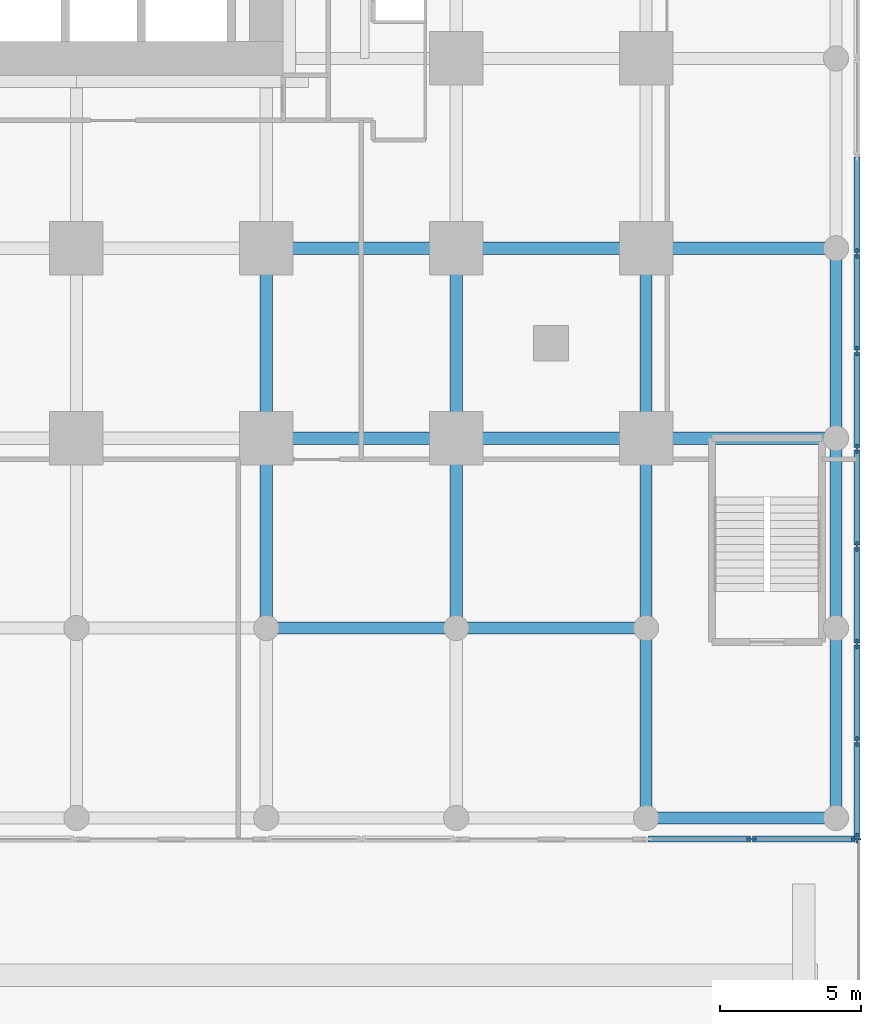
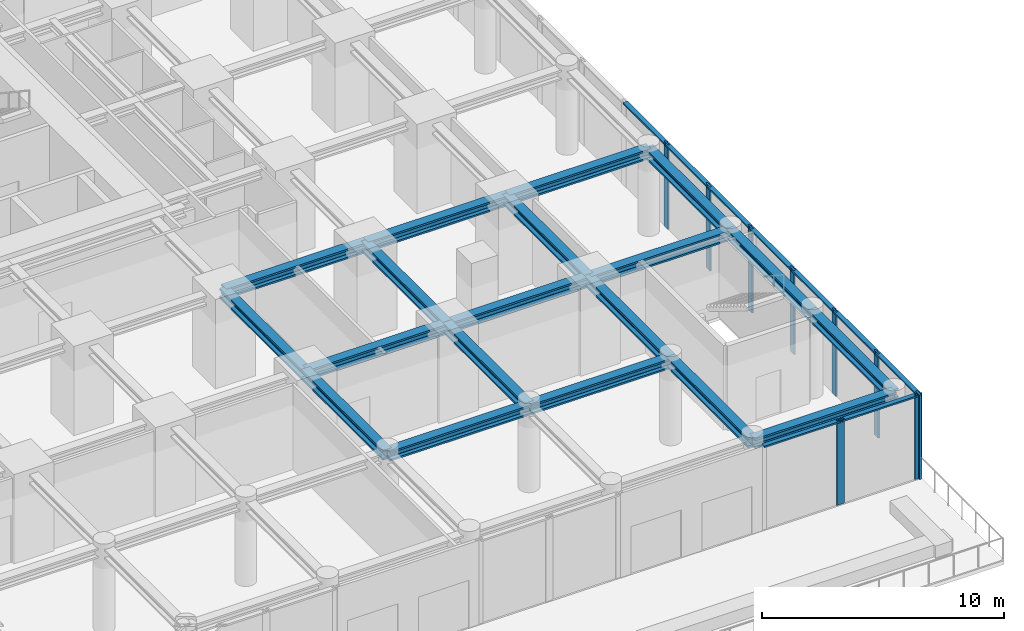
# One storey, part 3 of 11: 19 beams, 18 members, 2 elements without a shape of their own.
"""IFC4 building model written with IfcOpenShell, lengths in metres."""

from ifc_helpers import new_model, si_unit, direction, frame, origin, origin_2d, place, context, subcontext, project, spatial, rectangle, i_section, extrude, material, material_profile, profile_set, type_object, element, aggregate, save


model = new_model("IFC4")

# Units and contexts
model_context = context("Model", 3, precision=1e-05, world=origin(), true_north=direction((0.0, 1.0)))
body_context = subcontext(model_context, "Body", "Model", "MODEL_VIEW")
ifc_project = project(units=[si_unit("LENGTHUNIT", "METRE"), si_unit("AREAUNIT", "SQUARE_METRE"), si_unit("VOLUMEUNIT", "CUBIC_METRE"), si_unit("PLANEANGLEUNIT", "RADIAN"), si_unit("MASSUNIT", "GRAM", prefix="KILO")], contexts=[model_context])

# Site, building, storey
site_placement = place(None, origin())
site = spatial("IfcSite", under=ifc_project, at=site_placement, CompositionType="ELEMENT")
building_placement = place(site_placement, origin())
building = spatial("IfcBuilding", under=site, at=building_placement, Name="Nyansa Garden Tower", CompositionType="ELEMENT")
storey_placement = place(building_placement, frame((0.0, 0.0, 4.5)))
storey = spatial("IfcBuildingStorey", under=building, at=storey_placement, Name="L01", CompositionType="ELEMENT", Elevation=4.5)

# Curtain wall, members
ifc_material_1 = material(Name="Black anodised aluminium, clear double glazing", Category="aluminium")
curtain_wall_type = type_object("IfcCurtainWallType", Name="Podium curtain wall PCW", PredefinedType="USERDEFINED", material=ifc_material_1)
curtain_wall_1_placement = place(storey_placement, origin())
curtain_wall_1 = element("IfcCurtainWall", 1, at=curtain_wall_1_placement, inside=storey, type_object=curtain_wall_type, Name="Podium curtain wall L01 E", ObjectType="STICK CURTAIN WALL", PredefinedType="USERDEFINED")
ifc_material_2 = material(Name="Black anodised aluminium", Category="aluminium")
ifc_material_profile_1 = material_profile(ifc_material_2, rectangle(XDim=0.080078125, YDim=0.35009765625, at=origin_2d()), Name="Mullion 350x80")
ifc_profile_set_1 = profile_set([ifc_material_profile_1], Name="Black anodised aluminium")
member_type_1 = type_object("IfcMemberType", Name="Mullion PCW 350x80", PredefinedType="MULLION", material=ifc_profile_set_1)
member_1_placement = place(storey_placement, frame((48.0, -14.2099609375, 0.0), z_axis=(0.0, 0.0, 1.0), x_axis=(-1.0, 0.0, 0.0)))
member_1 = element("IfcMember", 2, at=member_1_placement, type_object=member_type_1, Name="PCW mullion 1", PredefinedType="MULLION", context=body_context, shape_type="SweptSolid", body=[
    extrude(rectangle(XDim=0.080078125, YDim=0.35009765625, at=origin_2d()), origin(), (0.0, 0.0, 1.0), 4.25),
])
member_2_placement = place(storey_placement, frame((48.0, -10.78125, 0.0), z_axis=(0.0, 0.0, 1.0), x_axis=(-1.0, 0.0, 0.0)))
member_2 = element("IfcMember", 3, at=member_2_placement, type_object=member_type_1, Name="PCW mullion 2", PredefinedType="MULLION", context=body_context, shape_type="SweptSolid", body=[
    extrude(rectangle(XDim=0.080078125, YDim=0.35009765625, at=origin_2d()), origin(), (0.0, 0.0, 1.0), 4.25),
])
member_3_placement = place(storey_placement, frame((48.0, -7.3125, 0.0), z_axis=(0.0, 0.0, 1.0), x_axis=(-1.0, 0.0, 0.0)))
member_3 = element("IfcMember", 4, at=member_3_placement, type_object=member_type_1, Name="PCW mullion 3", PredefinedType="MULLION", context=body_context, shape_type="SweptSolid", body=[
    extrude(rectangle(XDim=0.080078125, YDim=0.35009765625, at=origin_2d()), origin(), (0.0, 0.0, 1.0), 4.25),
])
member_4_placement = place(storey_placement, frame((48.0, -3.84375, 0.0), z_axis=(0.0, 0.0, 1.0), x_axis=(-1.0, 0.0, 0.0)))
member_4 = element("IfcMember", 5, at=member_4_placement, type_object=member_type_1, Name="PCW mullion 4", PredefinedType="MULLION", context=body_context, shape_type="SweptSolid", body=[
    extrude(rectangle(XDim=0.080078125, YDim=0.35009765625, at=origin_2d()), origin(), (0.0, 0.0, 1.0), 4.25),
])
member_5_placement = place(storey_placement, frame((48.0, -0.375, 0.0), z_axis=(0.0, 0.0, 1.0), x_axis=(-1.0, 0.0, 0.0)))
member_5 = element("IfcMember", 6, at=member_5_placement, type_object=member_type_1, Name="PCW mullion 5", PredefinedType="MULLION", context=body_context, shape_type="SweptSolid", body=[
    extrude(rectangle(XDim=0.080078125, YDim=0.35009765625, at=origin_2d()), origin(), (0.0, 0.0, 1.0), 4.25),
])
member_6_placement = place(storey_placement, frame((48.0, 3.09375, 0.0), z_axis=(0.0, 0.0, 1.0), x_axis=(-1.0, 0.0, 0.0)))
member_6 = element("IfcMember", 7, at=member_6_placement, type_object=member_type_1, Name="PCW mullion 6", PredefinedType="MULLION", context=body_context, shape_type="SweptSolid", body=[
    extrude(rectangle(XDim=0.080078125, YDim=0.35009765625, at=origin_2d()), origin(), (0.0, 0.0, 1.0), 4.25),
])
member_7_placement = place(storey_placement, frame((48.0, 6.5625, 0.0), z_axis=(0.0, 0.0, 1.0), x_axis=(-1.0, 0.0, 0.0)))
member_7 = element("IfcMember", 8, at=member_7_placement, type_object=member_type_1, Name="PCW mullion 7", PredefinedType="MULLION", context=body_context, shape_type="SweptSolid", body=[
    extrude(rectangle(XDim=0.080078125, YDim=0.35009765625, at=origin_2d()), origin(), (0.0, 0.0, 1.0), 4.25),
])

curtain_wall_2_placement = place(storey_placement, origin())
curtain_wall_2 = element("IfcCurtainWall", 9, at=curtain_wall_2_placement, inside=storey, type_object=curtain_wall_type, Name="Podium curtain wall L01 S", ObjectType="STICK CURTAIN WALL", PredefinedType="USERDEFINED")
member_8_placement = place(storey_placement, frame((44.25, -14.25, 0.0), z_axis=(0.0, 0.0, 1.0), x_axis=(0.0, 1.0, 0.0)))
member_8 = element("IfcMember", 10, at=member_8_placement, type_object=member_type_1, Name="PCW mullion 2", PredefinedType="MULLION", context=body_context, shape_type="SweptSolid", body=[
    extrude(rectangle(XDim=0.080078125, YDim=0.35009765625, at=origin_2d()), origin(), (0.0, 0.0, 1.0), 4.25),
])
member_9_placement = place(storey_placement, frame((47.9599609375, -14.25, 0.0), z_axis=(0.0, 0.0, 1.0), x_axis=(0.0, 1.0, 0.0)))
member_9 = element("IfcMember", 11, at=member_9_placement, type_object=member_type_1, Name="PCW mullion 3", PredefinedType="MULLION", context=body_context, shape_type="SweptSolid", body=[
    extrude(rectangle(XDim=0.080078125, YDim=0.35009765625, at=origin_2d()), origin(), (0.0, 0.0, 1.0), 4.25),
])

# Beams
ifc_material_3 = material(Name="Steel S355", Category="steel")
ifc_material_profile_2 = material_profile(ifc_material_3, i_section(OverallWidth=0.431884765625, OverallDepth=0.498046875, WebThickness=0.0556640625, FlangeThickness=0.0888671875, FilletRadius=0.014892578125, at=origin_2d()), Name="HD 400x744")
ifc_profile_set_2 = profile_set([ifc_material_profile_2], Name="Steel S355")
beam_type_1 = type_object("IfcBeamType", Name="Steel beam SBP1-744 HD 400x744", PredefinedType="BEAM", material=ifc_profile_set_2)
for number, where, z_axis, x_axis, name in (
    (12, (27.0, -6.75, 4.0009765625), (0.0, 1.0, 0.0), (-1.0, 0.0, 0.0), "Steel beam 6/C-6/D L02"),
    (13, (27.0, -6.75, 4.0009765625), (1.0, 0.0, 0.0), (0.0, 1.0, 0.0), "Steel beam 6/C-7/C L02"),
    (14, (27.0, 0.0, 4.0009765625), (0.0, 1.0, 0.0), (-1.0, 0.0, 0.0), "Steel beam 6/D-6/E L02"),
    (15, (27.0, 0.0, 4.0009765625), (1.0, 0.0, 0.0), (0.0, 1.0, 0.0), "Steel beam 6/D-7/D L02"),
    (16, (27.0, 6.75, 4.0009765625), (1.0, 0.0, 0.0), (0.0, 1.0, 0.0), "Steel beam 6/E-7/E L02"),
    (17, (33.75, -6.75, 4.0009765625), (0.0, 1.0, 0.0), (-1.0, 0.0, 0.0), "Steel beam 7/C-7/D L02"),
    (18, (33.75, -6.75, 4.0009765625), (1.0, 0.0, 0.0), (0.0, 1.0, 0.0), "Steel beam 7/C-8/C L02"),
    (19, (33.75, 0.0, 4.0009765625), (0.0, 1.0, 0.0), (-1.0, 0.0, 0.0), "Steel beam 7/D-7/E L02"),
    (20, (33.75, 0.0, 4.0009765625), (1.0, 0.0, 0.0), (0.0, 1.0, 0.0), "Steel beam 7/D-8/D L02"),
    (21, (33.75, 6.75, 4.0009765625), (1.0, 0.0, 0.0), (0.0, 1.0, 0.0), "Steel beam 7/E-8/E L02"),
    (22, (40.5, -13.5, 4.0009765625), (0.0, 1.0, 0.0), (-1.0, 0.0, 0.0), "Steel beam 8/B-8/C L02"),
    (23, (40.5, -6.75, 4.0009765625), (0.0, 1.0, 0.0), (-1.0, 0.0, 0.0), "Steel beam 8/C-8/D L02"),
    (24, (40.5, 0.0, 4.0009765625), (0.0, 1.0, 0.0), (-1.0, 0.0, 0.0), "Steel beam 8/D-8/E L02"),
    (25, (40.5, 0.0, 4.0009765625), (1.0, 0.0, 0.0), (0.0, 1.0, 0.0), "Steel beam 8/D-9/D L02"),
    (26, (40.5, 6.75, 4.0009765625), (1.0, 0.0, 0.0), (0.0, 1.0, 0.0), "Steel beam 8/E-9/E L02"),
):
    element("IfcBeam", number, at=place(storey_placement, frame(where, z_axis=z_axis, x_axis=x_axis)), inside=storey, type_object=beam_type_1, Name=name, PredefinedType="BEAM", context=body_context, shape_type="SweptSolid", body=[
        extrude(i_section(OverallWidth=0.431884765625, OverallDepth=0.498046875, WebThickness=0.0556640625, FlangeThickness=0.0888671875, FilletRadius=0.014892578125, at=origin_2d()), origin(), (0.0, 0.0, 1.0), 6.75),
    ])
ifc_material_4 = material(Name="Steel S355", Category="steel")
ifc_material_profile_3 = material_profile(ifc_material_4, i_section(OverallWidth=0.431884765625, OverallDepth=0.498046875, WebThickness=0.0556640625, FlangeThickness=0.0888671875, FilletRadius=0.014892578125, at=origin_2d()), Name="HD 400x744")
ifc_profile_set_3 = profile_set([ifc_material_profile_3], Name="Steel S355")
beam_type_2 = type_object("IfcBeamType", Name="Steel beam SEBP-744 HD 400x744", PredefinedType="BEAM", material=ifc_profile_set_3)
for number, where, z_axis, x_axis, name in (
    (27, (40.5, -13.5, 4.0009765625), (1.0, 0.0, 0.0), (0.0, 1.0, 0.0), "Steel edge beam 8/B-9/B L02"),
    (28, (47.25, -13.5, 4.0009765625), (0.0, 1.0, 0.0), (-1.0, 0.0, 0.0), "Steel edge beam 9/B-9/C L02"),
    (29, (47.25, -6.75, 4.0009765625), (0.0, 1.0, 0.0), (-1.0, 0.0, 0.0), "Steel edge beam 9/C-9/D L02"),
    (30, (47.25, 0.0, 4.0009765625), (0.0, 1.0, 0.0), (-1.0, 0.0, 0.0), "Steel edge beam 9/D-9/E L02"),
):
    element("IfcBeam", number, at=place(storey_placement, frame(where, z_axis=z_axis, x_axis=x_axis)), inside=storey, type_object=beam_type_2, Name=name, PredefinedType="BEAM", context=body_context, shape_type="SweptSolid", body=[
        extrude(i_section(OverallWidth=0.431884765625, OverallDepth=0.498046875, WebThickness=0.0556640625, FlangeThickness=0.0888671875, FilletRadius=0.014892578125, at=origin_2d()), origin(), (0.0, 0.0, 1.0), 6.75),
    ])

# Member
ifc_material_5 = material(Name="Black anodised aluminium", Category="aluminium")
ifc_material_profile_4 = material_profile(ifc_material_5, rectangle(XDim=0.219970703125, YDim=0.080078125, at=origin_2d()), Name="Transom 220x80")
ifc_profile_set_4 = profile_set([ifc_material_profile_4], Name="Black anodised aluminium")
member_type_2 = type_object("IfcMemberType", Name="Transom PCW 220x80", PredefinedType="USERDEFINED", material=ifc_profile_set_4)
member_10_placement = place(storey_placement, frame((48.0, -14.169921875, 4.2099609375), z_axis=(0.0, 1.0, 0.0), x_axis=(-1.0, 0.0, 0.0)))
member_10 = element("IfcMember", 31, at=member_10_placement, type_object=member_type_2, Name="PCW transom 1", ObjectType="TRANSOM", PredefinedType="USERDEFINED", context=body_context, shape_type="SweptSolid", body=[
    extrude(rectangle(XDim=0.219970703125, YDim=0.080078125, at=origin_2d()), origin(), (0.0, 0.0, 1.0), 3.3486328125),
])

member_11_placement = place(storey_placement, frame((48.0, -10.7412109375, 4.2099609375), z_axis=(0.0, 1.0, 0.0), x_axis=(-1.0, 0.0, 0.0)))
member_11 = element("IfcMember", 32, at=member_11_placement, type_object=member_type_2, Name="PCW transom 2", ObjectType="TRANSOM", PredefinedType="USERDEFINED", context=body_context, shape_type="SweptSolid", body=[
    extrude(rectangle(XDim=0.219970703125, YDim=0.080078125, at=origin_2d()), origin(), (0.0, 0.0, 1.0), 3.388671875),
])

member_12_placement = place(storey_placement, frame((48.0, -7.2724609375, 4.2099609375), z_axis=(0.0, 1.0, 0.0), x_axis=(-1.0, 0.0, 0.0)))
member_12 = element("IfcMember", 33, at=member_12_placement, type_object=member_type_2, Name="PCW transom 3", ObjectType="TRANSOM", PredefinedType="USERDEFINED", context=body_context, shape_type="SweptSolid", body=[
    extrude(rectangle(XDim=0.219970703125, YDim=0.080078125, at=origin_2d()), origin(), (0.0, 0.0, 1.0), 3.388671875),
])

member_13_placement = place(storey_placement, frame((48.0, -3.8037109375, 4.2099609375), z_axis=(0.0, 1.0, 0.0), x_axis=(-1.0, 0.0, 0.0)))
member_13 = element("IfcMember", 34, at=member_13_placement, type_object=member_type_2, Name="PCW transom 4", ObjectType="TRANSOM", PredefinedType="USERDEFINED", context=body_context, shape_type="SweptSolid", body=[
    extrude(rectangle(XDim=0.219970703125, YDim=0.080078125, at=origin_2d()), origin(), (0.0, 0.0, 1.0), 3.388671875),
])

member_14_placement = place(storey_placement, frame((48.0, -0.3349609375, 4.2099609375), z_axis=(0.0, 1.0, 0.0), x_axis=(-1.0, 0.0, 0.0)))
member_14 = element("IfcMember", 35, at=member_14_placement, type_object=member_type_2, Name="PCW transom 5", ObjectType="TRANSOM", PredefinedType="USERDEFINED", context=body_context, shape_type="SweptSolid", body=[
    extrude(rectangle(XDim=0.219970703125, YDim=0.080078125, at=origin_2d()), origin(), (0.0, 0.0, 1.0), 3.388671875),
])

member_15_placement = place(storey_placement, frame((48.0, 3.1337890625, 4.2099609375), z_axis=(0.0, 1.0, 0.0), x_axis=(-1.0, 0.0, 0.0)))
member_15 = element("IfcMember", 36, at=member_15_placement, type_object=member_type_2, Name="PCW transom 6", ObjectType="TRANSOM", PredefinedType="USERDEFINED", context=body_context, shape_type="SweptSolid", body=[
    extrude(rectangle(XDim=0.219970703125, YDim=0.080078125, at=origin_2d()), origin(), (0.0, 0.0, 1.0), 3.388671875),
])

member_16_placement = place(storey_placement, frame((48.0, 6.6025390625, 4.2099609375), z_axis=(0.0, 1.0, 0.0), x_axis=(-1.0, 0.0, 0.0)))
member_16 = element("IfcMember", 37, at=member_16_placement, type_object=member_type_2, Name="PCW transom 7", ObjectType="TRANSOM", PredefinedType="USERDEFINED", context=body_context, shape_type="SweptSolid", body=[
    extrude(rectangle(XDim=0.219970703125, YDim=0.080078125, at=origin_2d()), origin(), (0.0, 0.0, 1.0), 3.388671875),
])

aggregate(curtain_wall_1, [member_1, member_2, member_3, member_4, member_5, member_6, member_7, member_10, member_11, member_12, member_13, member_14, member_15, member_16])

member_17_placement = place(storey_placement, frame((40.580078125, -14.25, 4.2099609375), z_axis=(1.0, 0.0, 0.0), x_axis=(0.0, 1.0, 0.0)))
member_17 = element("IfcMember", 38, at=member_17_placement, type_object=member_type_2, Name="PCW transom 1", ObjectType="TRANSOM", PredefinedType="USERDEFINED", context=body_context, shape_type="SweptSolid", body=[
    extrude(rectangle(XDim=0.219970703125, YDim=0.080078125, at=origin_2d()), origin(), (0.0, 0.0, 1.0), 3.6298828125),
])

member_18_placement = place(storey_placement, frame((44.2900390625, -14.25, 4.2099609375), z_axis=(1.0, 0.0, 0.0), x_axis=(0.0, 1.0, 0.0)))
member_18 = element("IfcMember", 39, at=member_18_placement, type_object=member_type_2, Name="PCW transom 2", ObjectType="TRANSOM", PredefinedType="USERDEFINED", context=body_context, shape_type="SweptSolid", body=[
    extrude(rectangle(XDim=0.219970703125, YDim=0.080078125, at=origin_2d()), origin(), (0.0, 0.0, 1.0), 3.6298828125),
])

aggregate(curtain_wall_2, [member_8, member_9, member_17, member_18])

save(model, "model.ifc")
